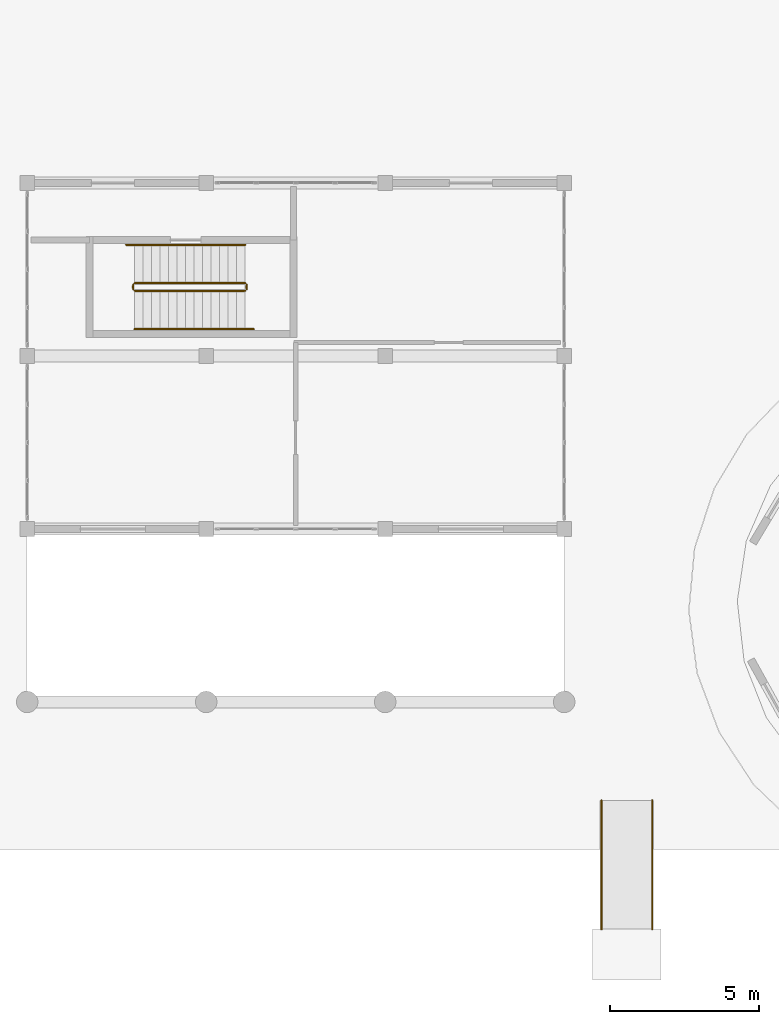
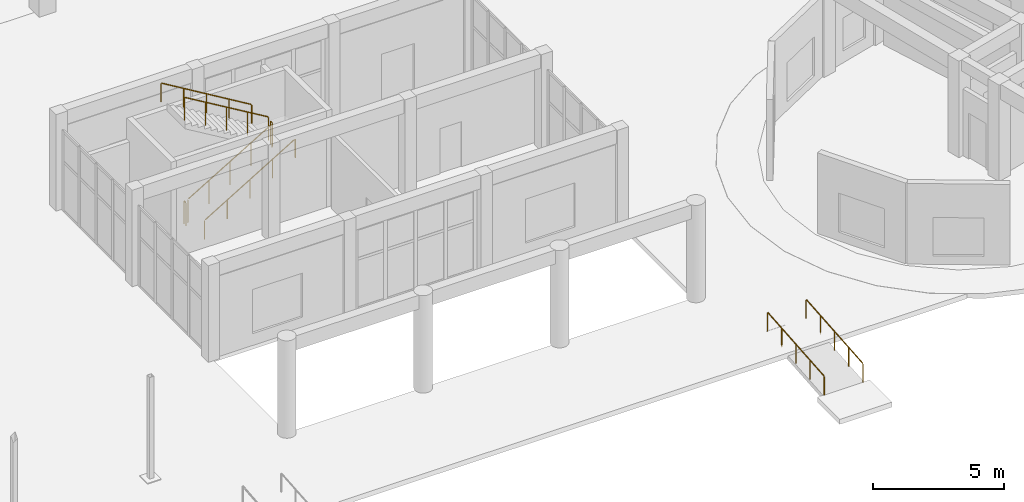
# One storey, part 118 of 132: 8 railings.
"""IFC4 building model written with IfcOpenShell, lengths in metres."""

from ifc_helpers import new_model, si_unit, direction, frame, origin, origin_2d, place, context, subcontext, project, spatial, circle, extrude, material, type_object, element, save


model = new_model("IFC4")

# Units and contexts
model_context = context("Model", 3, precision=1e-05, world=origin(), true_north=direction((0.0, 1.0)))
body_context = subcontext(model_context, "Body", "Model", "MODEL_VIEW")
ifc_project = project(units=[si_unit("LENGTHUNIT", "METRE"), si_unit("AREAUNIT", "SQUARE_METRE"), si_unit("VOLUMEUNIT", "CUBIC_METRE"), si_unit("PLANEANGLEUNIT", "RADIAN"), si_unit("MASSUNIT", "GRAM", prefix="KILO")], contexts=[model_context])

# Site, building, storey
site_placement = place(None, origin())
site = spatial("IfcSite", under=ifc_project, at=site_placement, CompositionType="ELEMENT")
building_placement = place(site_placement, origin())
building = spatial("IfcBuilding", under=site, at=building_placement, Name="Tanwirah Colonnade Gardens", CompositionType="ELEMENT")
storey_placement = place(building_placement, origin())
storey = spatial("IfcBuildingStorey", under=building, at=storey_placement, Name="L00", CompositionType="ELEMENT", Elevation=0.0)

# Railings
ifc_material_1 = material(Name="Powder-coated galvanized steel", Category="steel")
railing_type_1 = type_object("IfcRailingType", Name="GRD-ST110", PredefinedType="GUARDRAIL", material=ifc_material_1)
railing_1_placement = place(storey_placement, frame((105.60009765625, 24.580078125, 0.169921875)))
element("IfcRailing", 1, at=railing_1_placement, inside=storey, type_object=railing_type_1, Name="L00 ST-SE stair guard 1", PredefinedType="GUARDRAIL", context=body_context, shape_type="SweptSolid", body=[
    extrude(circle(Radius=0.02392578125, at=origin_2d()), frame((0.02685546875, 0.0, 1.092041015625), z_axis=(0.858813389417, 0.0, 0.512288553608), x_axis=(0.0, 1.0, 0.0)), (0.0, 0.0, 1.0), 4.25146484375),
    extrude(circle(Radius=0.02099609375, at=origin_2d()), origin(), (0.0, 0.0, 1.0), 1.049072265625),
    extrude(circle(Radius=0.02099609375, at=origin_2d()), frame((0.92626953125, 0.0, 0.552490234375)), (0.0, 0.0, 1.0), 1.049072265625),
    extrude(circle(Radius=0.02099609375, at=origin_2d()), frame((1.8525390625, 0.0, 1.10498046875)), (0.0, 0.0, 1.0), 1.049072265625),
    extrude(circle(Radius=0.02099609375, at=origin_2d()), frame((2.778564453125, 0.0, 1.657470703125)), (0.0, 0.0, 1.0), 1.049072265625),
    extrude(circle(Radius=0.02099609375, at=origin_2d()), frame((3.704833984375, 0.0, 2.2099609375)), (0.0, 0.0, 1.0), 1.049072265625),
])
railing_2_placement = place(storey_placement, frame((109.35498046875, 24.6298828125, 2.3798828125)))
element("IfcRailing", 2, at=railing_2_placement, inside=storey, type_object=railing_type_1, Name="L00 ST-SE stair guard 2", PredefinedType="GUARDRAIL", context=body_context, shape_type="SweptSolid", body=[
    extrude(circle(Radius=0.02392578125, at=origin_2d()), frame((0.0, 0.03125, 1.076171875), z_axis=(0.0, 1.0, 0.0), x_axis=(-1.0, 0.0, 0.0)), (0.0, 0.0, 1.0), 0.09765625),
    extrude(circle(Radius=0.02099609375, at=origin_2d()), origin(), (0.0, 0.0, 1.0), 1.049072265625),
    extrude(circle(Radius=0.02099609375, at=origin_2d()), frame((0.0, 0.16015625, 0.0)), (0.0, 0.0, 1.0), 1.049072265625),
])
railing_3_placement = place(storey_placement, frame((109.304931640625, 24.840087890625, 2.550048828125)))
element("IfcRailing", 3, at=railing_3_placement, inside=storey, type_object=railing_type_1, Name="L00 ST-SE stair guard 3", PredefinedType="GUARDRAIL", context=body_context, shape_type="SweptSolid", body=[
    extrude(circle(Radius=0.02392578125, at=origin_2d()), frame((-0.02685546875, 0.0, 1.092041015625), z_axis=(-0.858813389417, 0.0, 0.512288553608), x_axis=(0.0, -1.0, 0.0)), (0.0, 0.0, 1.0), 4.25146484375),
    extrude(circle(Radius=0.02099609375, at=origin_2d()), origin(), (0.0, 0.0, 1.0), 1.049072265625),
    extrude(circle(Radius=0.02099609375, at=origin_2d()), frame((-0.92626953125, 0.0, 0.552490234375)), (0.0, 0.0, 1.0), 1.049072265625),
    extrude(circle(Radius=0.02099609375, at=origin_2d()), frame((-1.8525390625, 0.0, 1.10498046875)), (0.0, 0.0, 1.0), 1.049072265625),
    extrude(circle(Radius=0.02099609375, at=origin_2d()), frame((-2.778564453125, 0.0, 1.657470703125)), (0.0, 0.0, 1.0), 1.049072265625),
    extrude(circle(Radius=0.02099609375, at=origin_2d()), frame((-3.704833984375, 0.0, 2.2099609375)), (0.0, 0.0, 1.0), 1.049072265625),
])
railing_4_placement = place(storey_placement, frame((105.550048828125, 24.6298828125, 0.0)))
element("IfcRailing", 4, at=railing_4_placement, inside=storey, type_object=railing_type_1, Name="L00 ST-SE stair guard 4", PredefinedType="GUARDRAIL", context=body_context, shape_type="SweptSolid", body=[
    extrude(circle(Radius=0.02392578125, at=origin_2d()), frame((0.0, 0.03125, 1.076171875), z_axis=(0.0, 1.0, 0.0), x_axis=(-1.0, 0.0, 0.0)), (0.0, 0.0, 1.0), 0.09765625),
    extrude(circle(Radius=0.02099609375, at=origin_2d()), origin(), (0.0, 0.0, 1.0), 1.049072265625),
    extrude(circle(Radius=0.02099609375, at=origin_2d()), frame((0.0, 0.16015625, 0.0)), (0.0, 0.0, 1.0), 1.049072265625),
])
ifc_material_2 = material(Name="Brushed bronze stainless steel", Category="steel")
railing_type_2 = type_object("IfcRailingType", Name="HR-ST090", PredefinedType="HANDRAIL", material=ifc_material_2)
railing_5_placement = place(storey_placement, frame((105.60009765625, 23.300048828125, 0.169921875)))
element("IfcRailing", 5, at=railing_5_placement, inside=storey, type_object=railing_type_2, Name="L00 ST-SE stair handrail 1", PredefinedType="HANDRAIL", context=body_context, shape_type="SweptSolid", body=[
    extrude(circle(Radius=0.02392578125, at=origin_2d()), frame((0.02685546875, 0.0, 0.891845703125), z_axis=(0.857094710663, 0.0, 0.515158865743), x_axis=(0.0, 1.0, 0.0)), (0.0, 0.0, 1.0), 4.5927734375),
    extrude(circle(Radius=0.02099609375, at=origin_2d()), origin(), (0.0, 0.0, 1.0), 0.848876953125),
    extrude(circle(Radius=0.02099609375, at=origin_2d()), frame((0.99755859375, 0.0, 0.599609375)), (0.0, 0.0, 1.0), 0.848876953125),
    extrude(circle(Radius=0.02099609375, at=origin_2d()), frame((1.9951171875, 0.0, 1.19921875)), (0.0, 0.0, 1.0), 0.848876953125),
    extrude(circle(Radius=0.02099609375, at=origin_2d()), frame((2.992431640625, 0.0, 1.798583984375)), (0.0, 0.0, 1.0), 0.848876953125),
    extrude(circle(Radius=0.02099609375, at=origin_2d()), frame((3.989990234375, 0.0, 2.398193359375)), (0.0, 0.0, 1.0), 0.848876953125),
])
railing_6_placement = place(storey_placement, frame((109.304931640625, 26.1201171875, 2.550048828125)))
element("IfcRailing", 6, at=railing_6_placement, inside=storey, type_object=railing_type_2, Name="L00 ST-SE stair handrail 2", PredefinedType="HANDRAIL", context=body_context, shape_type="SweptSolid", body=[
    extrude(circle(Radius=0.02392578125, at=origin_2d()), frame((-0.02685546875, 0.0, 0.891845703125), z_axis=(-0.857117866608, 0.0, 0.515120338116), x_axis=(0.0, -1.0, 0.0)), (0.0, 0.0, 1.0), 4.592529296875),
    extrude(circle(Radius=0.02099609375, at=origin_2d()), origin(), (0.0, 0.0, 1.0), 0.848876953125),
    extrude(circle(Radius=0.02099609375, at=origin_2d()), frame((-0.99755859375, 0.0, 0.599609375)), (0.0, 0.0, 1.0), 0.848876953125),
    extrude(circle(Radius=0.02099609375, at=origin_2d()), frame((-1.9951171875, 0.0, 1.198974609375)), (0.0, 0.0, 1.0), 0.848876953125),
    extrude(circle(Radius=0.02099609375, at=origin_2d()), frame((-2.992431640625, 0.0, 1.79833984375)), (0.0, 0.0, 1.0), 0.848876953125),
    extrude(circle(Radius=0.02099609375, at=origin_2d()), frame((-3.989990234375, 0.0, 2.39794921875)), (0.0, 0.0, 1.0), 0.848876953125),
])
for number, where, name in (
    (7, (121.25, 3.179931640625, -0.360107421875), "Accessible Ramp PED-E Handrail L"),
    (8, (122.949951171875, 3.179931640625, -0.360107421875), "Accessible Ramp PED-E Handrail R"),
):
    element("IfcRailing", number, at=place(storey_placement, frame(where)), inside=storey, type_object=railing_type_2, Name=name, PredefinedType="HANDRAIL", context=body_context, shape_type="SweptSolid", body=[
        extrude(circle(Radius=0.02392578125, at=origin_2d()), frame((0.0, 0.03125, 0.87841796875), z_axis=(0.0, 0.996543815979, 0.083068783756), x_axis=(-1.0, 0.0, 0.0)), (0.0, 0.0, 1.0), 4.2724609375),
        extrude(circle(Radius=0.02099609375, at=origin_2d()), origin(), (0.0, 0.0, 1.0), 0.848876953125),
        extrude(circle(Radius=0.02099609375, at=origin_2d()), frame((0.0, 1.080078125, 0.090087890625)), (0.0, 0.0, 1.0), 0.848876953125),
        extrude(circle(Radius=0.02099609375, at=origin_2d()), frame((0.0, 2.16015625, 0.18017578125)), (0.0, 0.0, 1.0), 0.848876953125),
        extrude(circle(Radius=0.02099609375, at=origin_2d()), frame((0.0, 3.239990234375, 0.27001953125)), (0.0, 0.0, 1.0), 0.848876953125),
        extrude(circle(Radius=0.02099609375, at=origin_2d()), frame((0.0, 4.320068359375, 0.360107421875)), (0.0, 0.0, 1.0), 0.848876953125),
    ])

save(model, "model.ifc")
